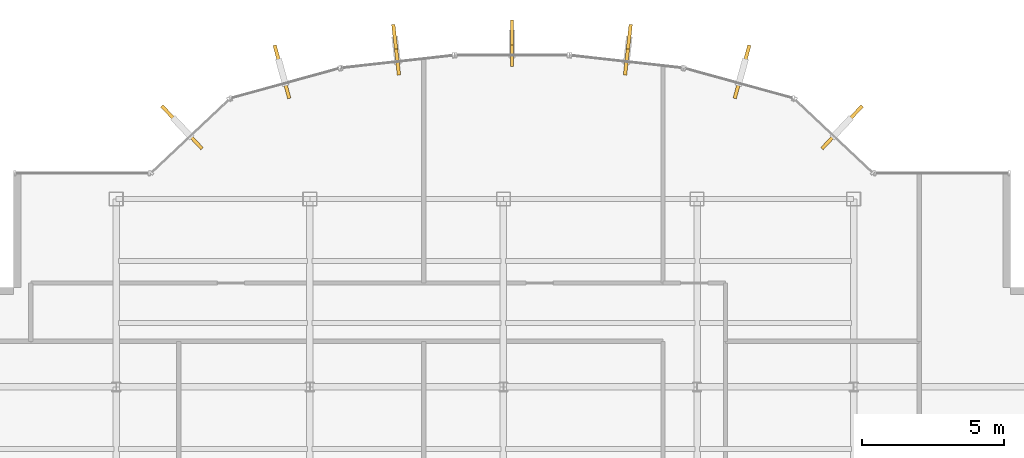
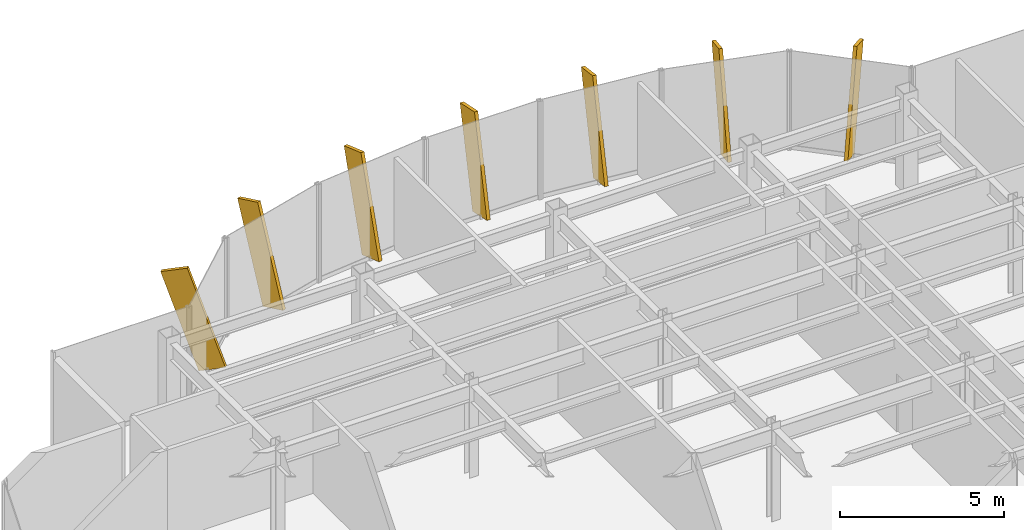
# One storey, part 21 of 22: 7 shading devices.
"""IFC4 building model written with IfcOpenShell, lengths in metres."""

from ifc_helpers import new_model, si_unit, derived_unit, direction, frame, origin, origin_2d, place, context, subcontext, project, spatial, rectangle, extrude, source, transform, mapped, material, type_object, element, save


model = new_model("IFC4")

# Units and contexts
model_context = context("Model", 3, precision=1e-05, world=origin(), true_north=direction((0.0, 1.0)))
body_context = subcontext(model_context, "Body", "Model", "MODEL_VIEW")
ifc_project = project(units=[si_unit("LENGTHUNIT", "METRE"), si_unit("AREAUNIT", "SQUARE_METRE"), si_unit("VOLUMEUNIT", "CUBIC_METRE"), si_unit("PLANEANGLEUNIT", "RADIAN"), si_unit("MASSUNIT", "GRAM", prefix="KILO"), derived_unit("THERMALTRANSMITTANCEUNIT", [(si_unit("POWERUNIT", "WATT"), 1), (si_unit("LENGTHUNIT", "METRE"), -2), (si_unit("THERMODYNAMICTEMPERATUREUNIT", "KELVIN"), -1)])], contexts=[model_context])

# Site, building, storey
site_placement = place(None, origin())
site = spatial("IfcSite", under=ifc_project, at=site_placement, CompositionType="ELEMENT")
building_placement = place(site_placement, origin())
building = spatial("IfcBuilding", under=site, at=building_placement, Name="Skarnbrae Concourse Arena and Tower", CompositionType="ELEMENT")
storey_placement = place(building_placement, frame((0.0, 0.0, 225.10009765625)))
storey = spatial("IfcBuildingStorey", under=building, at=storey_placement, Name="L58", CompositionType="ELEMENT", Elevation=225.10009765625)

# Shading devices
ifc_material = material(Name="Bronze anodised aluminium 6063-T6", Category="aluminium")
shading_device_type = type_object("IfcShadingDeviceType", Name="SHD-BRONZE-FIN-900", PredefinedType="USERDEFINED", material=ifc_material)
shared_shape = source(origin(), body_context, "Body", "SweptSolid", [
    extrude(rectangle(XDim=0.1201171875, YDim=0.89990234375, at=origin_2d()), origin(), (0.0, 0.0, 1.0), 3.64990234375),
])
for number, where, z_axis, x_axis, name in (
    (1, (32.677978515625, 36.478759765625, 0.103271484375), (0.227224184045, 0.241377537722, 0.943454320287), (0.728131751529, -0.685437198009, 0.0), "L58 Outward-leaning bronze shading fin 08"),
    (2, (29.43603515625, 38.3466796875, 0.08154296875), (0.07852258794, 0.284919065414, 0.955329958363), (0.964058316208, -0.265690728011, 0.0), "L58 Outward-leaning bronze shading fin 09"),
    (3, (25.51708984375, 39.181640625, 0.05908203125), (0.028131176169, 0.250834606441, 0.967621122723), (0.993769864509, -0.111451587667, 0.0), "L58 Outward-leaning bronze shading fin 10"),
    (4, (21.5, 39.4873046875, 0.039794921875), (0.0, 0.207911690818, 0.978147600734), (1.0, 0.0, 0.0), "L58 Outward-leaning bronze shading fin 11"),
    (5, (17.48291015625, 39.181640625, 0.05908203125), (-0.028131176169, 0.250834606441, 0.967621122723), (0.993769864509, 0.111451587667, 0.0), "L58 Outward-leaning bronze shading fin 12"),
    (6, (13.56396484375, 38.3466796875, 0.08154296875), (-0.07852258794, 0.284919065414, 0.955329958363), (0.964058316208, 0.265690728011, 0.0), "L58 Outward-leaning bronze shading fin 13"),
    (7, (10.322021484375, 36.478759765625, 0.103271484375), (-0.227224184045, 0.241377537722, 0.943454320287), (0.728131751529, 0.685437198009, 0.0), "L58 Outward-leaning bronze shading fin 14"),
):
    element("IfcShadingDevice", number, at=place(storey_placement, frame(where, z_axis=z_axis, x_axis=x_axis)), inside=storey, type_object=shading_device_type, Name=name, ObjectType="FIN", PredefinedType="USERDEFINED", context=body_context, shape_type="MappedRepresentation", body=[
        mapped(shared_shape, transform((0.0, 0.0, 0.0))),
    ])

save(model, "model.ifc")
